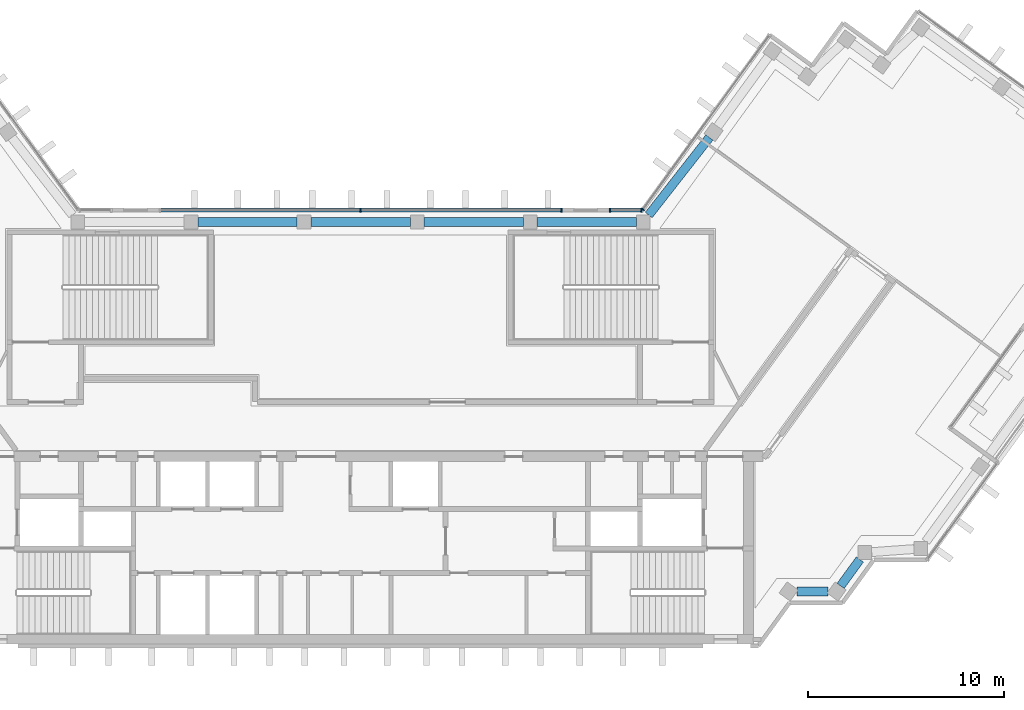
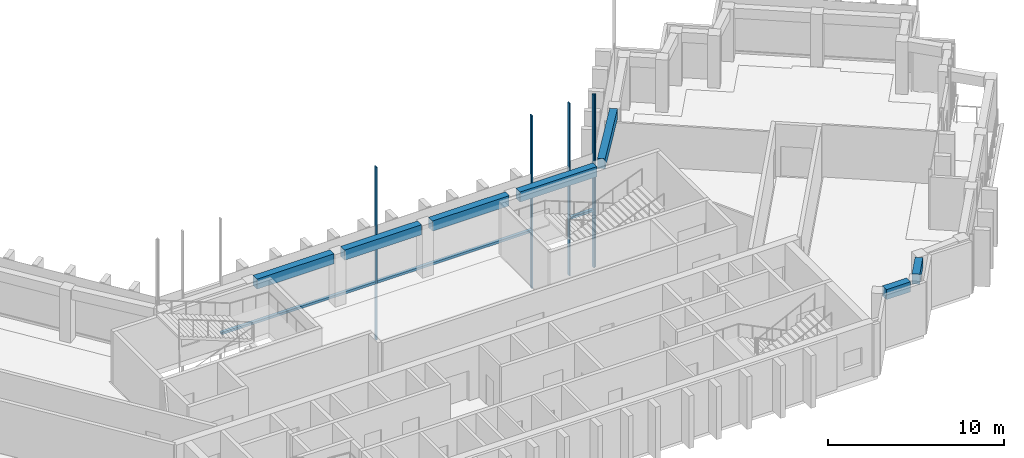
# One storey, part 3 of 14: 8 members, 7 beams, 3 elements without a shape of their own.
"""IFC4 building model written with IfcOpenShell, lengths in metres."""

import ifcopenshell
import ifcopenshell.guid

model = None  # the IFC model being written
_history = None  # IfcOwnerHistory: only IFC2X3 demands one
_inside = {}  # id of a spatial element -> (the spatial element, [elements in it])
_under = {}  # id of a project, library or spatial element -> (it, [spatial elements below it])
_declared = {}  # id of a project -> (the project, [libraries it declares])
_typed = {}  # id of a type object -> (the type object, [elements of that type])
_made_of = {}  # id of a material, layer set ... -> (it, [elements and type objects made of it])


def new_model(schema):
    """Start an empty IFC model of exactly this schema.

    Asked for "IFC4X3", IfcOpenShell would pick the latest addendum, in which some entities
    have other attributes; the version numbers below select the first issue.
    IFC2X3 requires an IfcOwnerHistory on every rooted entity: one is made here for all.
    """
    global model, _history
    if schema == "IFC4X3":
        model = ifcopenshell.file(schema_version=(4, 3, 0, 0))
    else:
        model = ifcopenshell.file(schema=schema)
    _inside.clear()
    _under.clear()
    _declared.clear()
    _typed.clear()
    _made_of.clear()
    _history = None
    if model.schema == "IFC2X3":
        org = make("IfcOrganization", Name="unknown")
        user = make(
            "IfcPersonAndOrganization",
            ThePerson=make("IfcPerson", FamilyName="unknown"),
            TheOrganization=org,
        )
        app = make(
            "IfcApplication",
            ApplicationDeveloper=org,
            Version="unknown",
            ApplicationFullName="unknown",
            ApplicationIdentifier="unknown",
        )
        _history = make(
            "IfcOwnerHistory",
            OwningUser=user,
            OwningApplication=app,
            ChangeAction="ADDED",
            CreationDate=0,
        )
    return model


def make(cls, **values):
    """One entity of the class cls with the attributes given. An attribute that is None is left unset."""
    return model.create_entity(
        cls, **{name: value for name, value in values.items() if value is not None}
    )


def rooted(cls, **values):
    """An entity with a GlobalId (a new one), such as an element, a storey or a relation."""
    return make(cls, GlobalId=ifcopenshell.guid.new(), OwnerHistory=_history, **values)


def si_unit(unit_type, name, prefix=None):
    """IfcSIUnit, for example si_unit("LENGTHUNIT", "METRE", prefix="MILLI")."""
    return make("IfcSIUnit", UnitType=unit_type, Prefix=prefix, Name=name)


def assignment(units):
    """IfcUnitAssignment: the units of a project."""
    return None if units is None else make("IfcUnitAssignment", Units=units)


def point(xyz):
    """IfcCartesianPoint."""
    return None if xyz is None else make("IfcCartesianPoint", Coordinates=xyz)


def direction(xyz):
    """IfcDirection."""
    return None if xyz is None else make("IfcDirection", DirectionRatios=xyz)


def frame(location, z_axis=None, x_axis=None):
    """IfcAxis2Placement3D, a coordinate frame: its origin and axes. An axis left out is left unset."""
    return make(
        "IfcAxis2Placement3D",
        Location=point(location),
        Axis=direction(z_axis),
        RefDirection=direction(x_axis),
    )


def frame_2d(location, x_axis=None):
    """IfcAxis2Placement2D, a coordinate frame in the plane: its origin and x axis."""
    return make(
        "IfcAxis2Placement2D", Location=point(location), RefDirection=direction(x_axis)
    )


def origin():
    """The frame at (0, 0, 0) with its axes left unset."""
    return frame((0.0, 0.0, 0.0))


def origin_2d():
    """The frame at (0, 0) in the plane with its x axis left unset."""
    return frame_2d((0.0, 0.0))


def place(relative_to, where):
    """IfcLocalPlacement: puts the frame where relative to a parent placement (None: the world)."""
    return make(
        "IfcLocalPlacement", PlacementRelTo=relative_to, RelativePlacement=where
    )


def context(
    kind, dimensions, precision=None, world=None, true_north=None, identifier=None
):
    """IfcGeometricRepresentationContext, for example the 3D "Model" context."""
    return make(
        "IfcGeometricRepresentationContext",
        ContextIdentifier=identifier,
        ContextType=kind,
        CoordinateSpaceDimension=dimensions,
        Precision=precision,
        WorldCoordinateSystem=world,
        TrueNorth=true_north,
    )


def subcontext(parent, identifier, kind, view, scale=None):
    """IfcGeometricRepresentationSubContext, for example "Body" below "Model"."""
    return make(
        "IfcGeometricRepresentationSubContext",
        ContextIdentifier=identifier,
        ContextType=kind,
        ParentContext=parent,
        TargetScale=scale,
        TargetView=view,
    )


def project(units=None, contexts=None):
    """IfcProject with its units and contexts."""
    return rooted(
        "IfcProject",
        Name="project",
        RepresentationContexts=contexts,
        UnitsInContext=assignment(units),
    )


def spatial(cls, under=None, at=None, **own):
    """A site, building, storey or space (cls), placed at a placement, below another one or the project."""
    s = rooted(cls, ObjectPlacement=at, **own)
    if under is not None:
        _under.setdefault(under.id(), (under, []))[1].append(s)
    return s


def profile(cls, at=None, kind="AREA", **sizes):
    """A parametric profile (cls). Its sizes go by their IFC names, for example OverallWidth=200.0."""
    return make(cls, ProfileType=kind, Position=at, **sizes)


def rectangle(**sizes):
    """IfcRectangleProfileDef."""
    return profile("IfcRectangleProfileDef", **sizes)


def extrude(swept, where, along, depth):
    """IfcExtrudedAreaSolid: the profile swept, set in the frame where, extruded along a direction by depth."""
    return make(
        "IfcExtrudedAreaSolid",
        SweptArea=swept,
        Position=where,
        ExtrudedDirection=direction(along),
        Depth=depth,
    )


def shape(context_of_items, identifier, shape_type, items):
    """IfcShapeRepresentation: the items that make up one representation, for example the "Body"."""
    return make(
        "IfcShapeRepresentation",
        ContextOfItems=context_of_items,
        RepresentationIdentifier=identifier,
        RepresentationType=shape_type,
        Items=items,
    )


def material(Name=None, Category=None):
    """IfcMaterial."""
    return make("IfcMaterial", Name=Name, Category=Category)


def material_profile(
    of_material, cross_section, Name=None, Category=None, Priority=None
):
    """IfcMaterialProfile: a cross section and its material."""
    return make(
        "IfcMaterialProfile",
        Name=Name,
        Material=of_material,
        Profile=cross_section,
        Priority=Priority,
        Category=Category,
    )


def profile_set(profiles, Name=None, composite=None):
    """IfcMaterialProfileSet."""
    return make(
        "IfcMaterialProfileSet",
        Name=Name,
        MaterialProfiles=profiles,
        CompositeProfile=composite,
    )


def made_of(thing, what):
    """Note that an element or type object is made of a material, layer set ...; save() writes the relation."""
    if what is not None:
        _made_of.setdefault(what.id(), (what, []))[1].append(thing)
    return thing


def type_object(cls, material=None, **own):
    """A type object (cls), such as IfcWallType, which elements share."""
    return made_of(rooted(cls, **own), material)


def element(
    cls,
    number,
    at=None,
    inside=None,
    cuts=None,
    type_object=None,
    material=None,
    context=None,
    identifier="Body",
    shape_type=None,
    held_by="IfcProductDefinitionShape",
    body=None,
    shapes=None,
    **own,
):
    """One element of the class cls, such as IfcWall. Its Tag is "e" and its number.

    at: its placement. inside: the storey or other place that contains it. cuts: it is an
    opening in that element (IfcRelVoidsElement). A single representation is given by context,
    identifier, shape_type and body (its items); several are given by shapes. held_by: the class
    of the entity that holds the representations. save() writes the other relations.
    """
    e = rooted(cls, Tag="e%d" % number, ObjectPlacement=at, **own)
    if body is not None:
        shapes = [shape(context, identifier, shape_type, body)]
    if shapes is not None:
        e.Representation = make(held_by, Representations=shapes)
    if inside is not None:
        _inside.setdefault(inside.id(), (inside, []))[1].append(e)
    if cuts is not None:
        rooted(
            "IfcRelVoidsElement", RelatingBuildingElement=cuts, RelatedOpeningElement=e
        )
    if type_object is not None:
        _typed.setdefault(type_object.id(), (type_object, []))[1].append(e)
    return made_of(e, material)


def aggregate(whole, parts):
    """IfcRelAggregates: a whole, such as a stair, and the parts it consists of."""
    return rooted("IfcRelAggregates", RelatingObject=whole, RelatedObjects=parts)


def save(model, path):
    """Write the relations noted so far, then the file.

    IfcRelAggregates (storeys below a building ...), IfcRelContainedInSpatialStructure (elements
    in a storey), IfcRelDefinesByType, IfcRelAssociatesMaterial and IfcRelDeclares: one each for
    every whole, place, type object, material and project.
    """
    for whole, parts in _under.values():
        aggregate(whole, parts)
    for where, things in _inside.values():
        rooted(
            "IfcRelContainedInSpatialStructure",
            RelatedElements=things,
            RelatingStructure=where,
        )
    for kind, things in _typed.values():
        rooted("IfcRelDefinesByType", RelatedObjects=things, RelatingType=kind)
    for what, things in _made_of.values():
        rooted("IfcRelAssociatesMaterial", RelatedObjects=things, RelatingMaterial=what)
    for by, libraries in _declared.values():
        rooted("IfcRelDeclares", RelatingContext=by, RelatedDefinitions=libraries)
    model.write(path)


model = new_model("IFC4")

# Units and contexts
model_context = context("Model", 3, precision=1e-05, world=origin(), true_north=direction((0.0, 1.0)))
body_context = subcontext(model_context, "Body", "Model", "MODEL_VIEW")
ifc_project = project(units=[si_unit("LENGTHUNIT", "METRE"), si_unit("AREAUNIT", "SQUARE_METRE"), si_unit("VOLUMEUNIT", "CUBIC_METRE"), si_unit("PLANEANGLEUNIT", "RADIAN"), si_unit("MASSUNIT", "GRAM", prefix="KILO")], contexts=[model_context])

# Site, building, storey
site_placement = place(None, origin())
site = spatial("IfcSite", under=ifc_project, at=site_placement, CompositionType="ELEMENT")
building_placement = place(site_placement, origin())
building = spatial("IfcBuilding", under=site, at=building_placement, Name="Quipu Civic Tower", CompositionType="ELEMENT")
storey_placement = place(building_placement, frame((0.0, 0.0, 311.0)))
storey = spatial("IfcBuildingStorey", under=building, at=storey_placement, Name="L72", CompositionType="ELEMENT", Elevation=311.0)

# Curtain wall, member
ifc_material_1 = material(Name="Insulated glass unit", Category="glass")
curtain_wall_type = type_object("IfcCurtainWallType", Name="Office curtain wall CW1", PredefinedType="NOTDEFINED", material=ifc_material_1)
curtain_wall_1_placement = place(storey_placement, origin())
curtain_wall_1 = element("IfcCurtainWall", 1, at=curtain_wall_1_placement, inside=storey, type_object=curtain_wall_type, Name="Office curtain wall CW1 L71 run 11", PredefinedType="NOTDEFINED")
ifc_material_2 = material(Name="Anodised aluminium", Category="aluminium")
ifc_material_profile_1 = material_profile(ifc_material_2, rectangle(XDim=0.199951171875, YDim=0.080078125, at=origin_2d()), Name="RECT 200x80")
ifc_profile_set_1 = profile_set([ifc_material_profile_1], Name="Anodised aluminium")
member_type_1 = type_object("IfcMemberType", Name="Mullion CW1", PredefinedType="MULLION", material=ifc_profile_set_1)
member_1_placement = place(storey_placement, frame((14.36767578125, 11.13232421875, -3.919921875), z_axis=(0.0, 0.0, 1.0), x_axis=(0.809015163947, -0.587787771652, 0.0)))
member_1 = element("IfcMember", 2, at=member_1_placement, type_object=member_type_1, Name="CW1 mullion 2", PredefinedType="MULLION", context=body_context, shape_type="SweptSolid", body=[
    extrude(rectangle(XDim=0.199951171875, YDim=0.080078125, at=origin_2d()), origin(), (0.0, 0.0, 1.0), 12.0),
])
aggregate(curtain_wall_1, [member_1])

# Curtain wall, members
curtain_wall_2_placement = place(storey_placement, origin())
curtain_wall_2 = element("IfcCurtainWall", 3, at=curtain_wall_2_placement, inside=storey, type_object=curtain_wall_type, Name="Office curtain wall CW1 L71 run 12", PredefinedType="NOTDEFINED")
member_2_placement = place(storey_placement, frame((14.30419921875, 11.10009765625, -3.919921875), z_axis=(0.0, 0.0, 1.0), x_axis=(0.0, -1.0, 0.0)))
member_2 = element("IfcMember", 4, at=member_2_placement, type_object=member_type_1, Name="CW1 mullion 1", PredefinedType="MULLION", context=body_context, shape_type="SweptSolid", body=[
    extrude(rectangle(XDim=0.199951171875, YDim=0.080078125, at=origin_2d()), origin(), (0.0, 0.0, 1.0), 12.0),
])
member_3_placement = place(storey_placement, frame((12.695068359375, 11.10009765625, -3.919921875), z_axis=(0.0, 0.0, 1.0), x_axis=(0.0, -1.0, 0.0)))
member_3 = element("IfcMember", 5, at=member_3_placement, type_object=member_type_1, Name="CW1 mullion 2", PredefinedType="MULLION", context=body_context, shape_type="SweptSolid", body=[
    extrude(rectangle(XDim=0.199951171875, YDim=0.080078125, at=origin_2d()), origin(), (0.0, 0.0, 1.0), 12.0),
])

curtain_wall_3_placement = place(storey_placement, origin())
curtain_wall_3 = element("IfcCurtainWall", 6, at=curtain_wall_3_placement, inside=storey, type_object=curtain_wall_type, Name="Office curtain wall CW1 L71 run 14", PredefinedType="NOTDEFINED")
member_4_placement = place(storey_placement, frame((10.223388671875, 11.10009765625, -3.919921875), z_axis=(0.0, 0.0, 1.0), x_axis=(0.0, -1.0, 0.0)))
member_4 = element("IfcMember", 7, at=member_4_placement, type_object=member_type_1, Name="CW1 mullion 1", PredefinedType="MULLION", context=body_context, shape_type="SweptSolid", body=[
    extrude(rectangle(XDim=0.199951171875, YDim=0.080078125, at=origin_2d()), origin(), (0.0, 0.0, 1.0), 12.0),
])
member_5_placement = place(storey_placement, frame((0.0, 11.10009765625, -3.919921875), z_axis=(0.0, 0.0, 1.0), x_axis=(0.0, -1.0, 0.0)))
member_5 = element("IfcMember", 8, at=member_5_placement, type_object=member_type_1, Name="CW1 mullion 2", PredefinedType="MULLION", context=body_context, shape_type="SweptSolid", body=[
    extrude(rectangle(XDim=0.199951171875, YDim=0.080078125, at=origin_2d()), origin(), (0.0, 0.0, 1.0), 12.0),
])

# Beams
ifc_material_3 = material(Name="Concrete C50/60", Category="concrete")
ifc_material_profile_2 = material_profile(ifc_material_3, rectangle(XDim=0.449951171875, YDim=0.699951171875, at=origin_2d()), Name="RC450x700")
ifc_profile_set_2 = profile_set([ifc_material_profile_2], Name="Concrete C50/60")
beam_type = type_object("IfcBeamType", Name="Spandrel beam RC 450x700 C50/60", PredefinedType="SPANDREL", material=ifc_profile_set_2)
beam_1_placement = place(storey_placement, frame((22.224365234375, -8.31494140625, 3.300048828125), z_axis=(1.0, 0.0, 0.0), x_axis=(0.0, 1.0, 0.0)))
element("IfcBeam", 9, at=beam_1_placement, inside=storey, type_object=beam_type, Name="Spandrel beam L72 J-Eo.1 to J-Eo.2", PredefinedType="SPANDREL", context=body_context, shape_type="SweptSolid", body=[
    extrude(rectangle(XDim=0.449951171875, YDim=0.699951171875, at=origin_2d()), origin(), (0.0, 0.0, 1.0), 1.578125),
])
beam_2_placement = place(storey_placement, frame((24.44091796875, -8.031982421875, 3.300048828125), z_axis=(0.588407300614, 0.80856468423, 0.0), x_axis=(-0.80856468423, 0.588407300614, 0.0)))
element("IfcBeam", 10, at=beam_2_placement, inside=storey, type_object=beam_type, Name="Spandrel beam L72 J-Eo.2 to J-Eo.3", PredefinedType="SPANDREL", context=body_context, shape_type="SweptSolid", body=[
    extrude(rectangle(XDim=0.449951171875, YDim=0.699951171875, at=origin_2d()), origin(), (0.0, 0.0, 1.0), 1.663330078125),
])
beam_3_placement = place(storey_placement, frame((17.7578125, 14.799072265625, 3.300048828125), z_axis=(-0.616106034519, -0.787663223865, 0.0), x_axis=(0.787663223865, -0.616106034519, 0.0)))
element("IfcBeam", 11, at=beam_3_placement, inside=storey, type_object=beam_type, Name="Spandrel beam L72 E-IN-01 to J-Ei.0", PredefinedType="SPANDREL", context=body_context, shape_type="SweptSolid", body=[
    extrude(rectangle(XDim=0.449951171875, YDim=0.699951171875, at=origin_2d()), origin(), (0.0, 0.0, 1.0), 5.013427734375),
])
for number, where, z_axis, x_axis, name in (
    (12, (14.045166015625, 10.5, 3.300048828125), (-1.0, 0.0, 0.0), (0.0, -1.0, 0.0), "Spandrel beam L72 J-Ei.0 to FRONT-01"),
    (13, (8.287109375, 10.5, 3.300048828125), (-1.0, 0.0, 0.0), (0.0, -1.0, 0.0), "Spandrel beam L72 FRONT-01 to FRONT-02"),
    (14, (2.529052734375, 10.5, 3.300048828125), (-1.0, 0.0, 0.0), (0.0, -1.0, 0.0), "Spandrel beam L72 FRONT-02 to FRONT-03"),
    (15, (-3.22900390625, 10.5, 3.300048828125), (-1.0, 0.0, 0.0), (0.0, -1.0, 0.0), "Spandrel beam L72 FRONT-03 to FRONT-04"),
):
    element("IfcBeam", number, at=place(storey_placement, frame(where, z_axis=z_axis, x_axis=x_axis)), inside=storey, type_object=beam_type, Name=name, PredefinedType="SPANDREL", context=body_context, shape_type="SweptSolid", body=[
        extrude(rectangle(XDim=0.449951171875, YDim=0.699951171875, at=origin_2d()), origin(), (0.0, 0.0, 1.0), 5.05810546875),
    ])

# Member
ifc_material_4 = material(Name="Anodised aluminium", Category="aluminium")
ifc_material_profile_3 = material_profile(ifc_material_4, rectangle(XDim=0.199951171875, YDim=0.159912109375, at=origin_2d()), Name="RECT 200x160")
ifc_profile_set_3 = profile_set([ifc_material_profile_3], Name="Anodised aluminium")
member_type_2 = type_object("IfcMemberType", Name="Transom CW1", PredefinedType="USERDEFINED", material=ifc_profile_set_3)
member_6_placement = place(storey_placement, frame((14.26416015625, 11.10009765625, 0.080078125), z_axis=(-1.0, 0.0, 0.0), x_axis=(0.0, -1.0, 0.0)))
member_6 = element("IfcMember", 16, at=member_6_placement, type_object=member_type_2, Name="CW1 transom 1.2", ObjectType="TRANSOM", PredefinedType="USERDEFINED", context=body_context, shape_type="SweptSolid", body=[
    extrude(rectangle(XDim=0.199951171875, YDim=0.159912109375, at=origin_2d()), origin(), (0.0, 0.0, 1.0), 1.529052734375),
])

aggregate(curtain_wall_2, [member_2, member_3, member_6])

member_7_placement = place(storey_placement, frame((10.18359375, 11.10009765625, 0.080078125), z_axis=(-1.0, 0.0, 0.0), x_axis=(0.0, -1.0, 0.0)))
member_7 = element("IfcMember", 17, at=member_7_placement, type_object=member_type_2, Name="CW1 transom 1.2", ObjectType="TRANSOM", PredefinedType="USERDEFINED", context=body_context, shape_type="SweptSolid", body=[
    extrude(rectangle(XDim=0.199951171875, YDim=0.159912109375, at=origin_2d()), origin(), (0.0, 0.0, 1.0), 10.1435546875),
])

member_8_placement = place(storey_placement, frame((-0.0400390625, 11.10009765625, 0.080078125), z_axis=(-1.0, 0.0, 0.0), x_axis=(0.0, -1.0, 0.0)))
member_8 = element("IfcMember", 18, at=member_8_placement, type_object=member_type_2, Name="CW1 transom 2.2", ObjectType="TRANSOM", PredefinedType="USERDEFINED", context=body_context, shape_type="SweptSolid", body=[
    extrude(rectangle(XDim=0.199951171875, YDim=0.159912109375, at=origin_2d()), origin(), (0.0, 0.0, 1.0), 10.1435546875),
])

aggregate(curtain_wall_3, [member_4, member_5, member_7, member_8])

save(model, "model.ifc")
